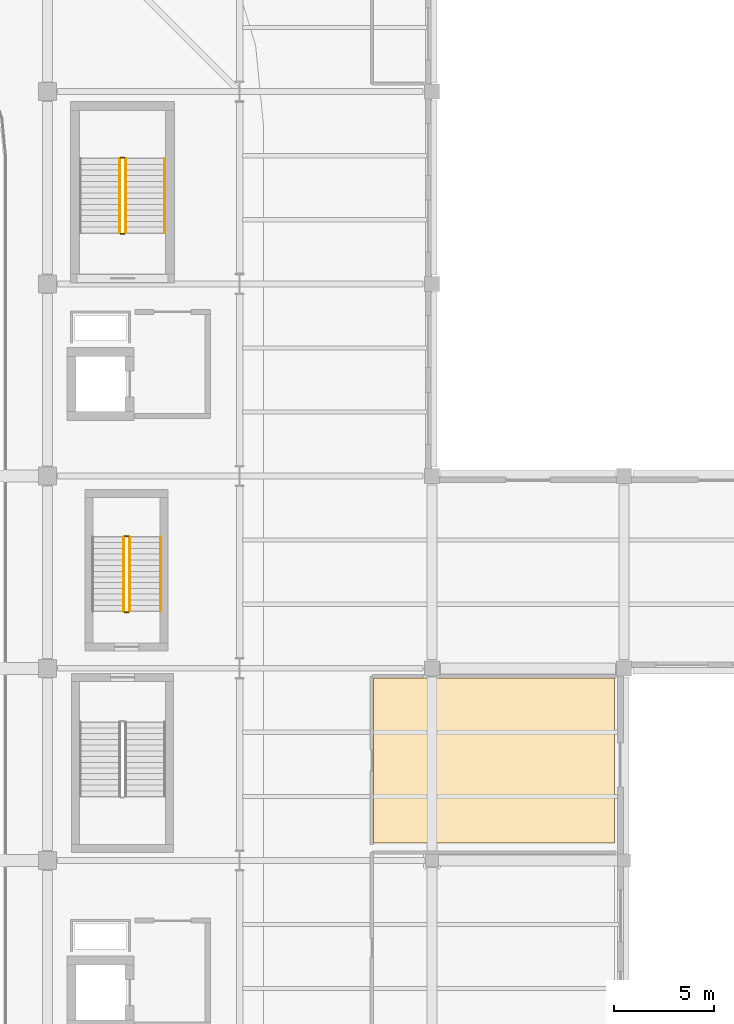
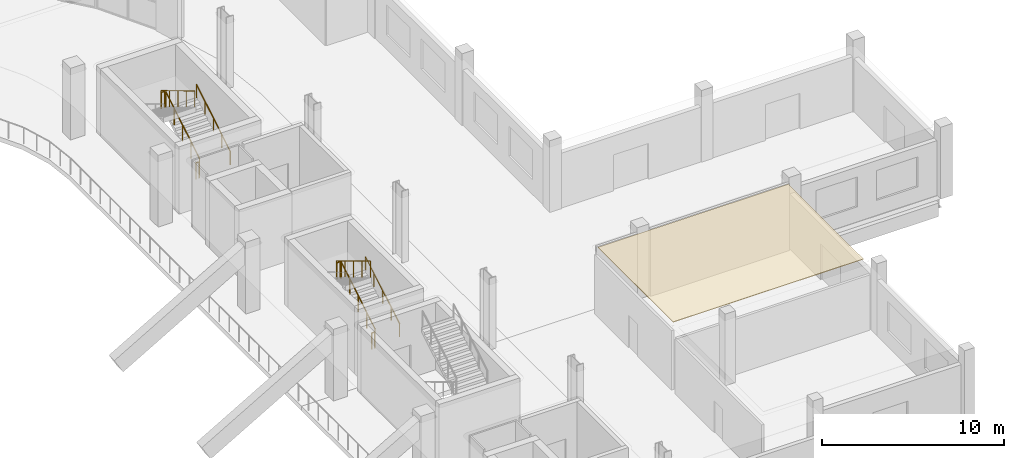
# One storey, part 94 of 100: 10 railings, 1 covering.
"""IFC4 building model written with IfcOpenShell, lengths in metres."""

import ifcopenshell
import ifcopenshell.guid

model = None  # the IFC model being written
_history = None  # IfcOwnerHistory: only IFC2X3 demands one
_inside = {}  # id of a spatial element -> (the spatial element, [elements in it])
_under = {}  # id of a project, library or spatial element -> (it, [spatial elements below it])
_declared = {}  # id of a project -> (the project, [libraries it declares])
_typed = {}  # id of a type object -> (the type object, [elements of that type])
_made_of = {}  # id of a material, layer set ... -> (it, [elements and type objects made of it])


def new_model(schema):
    """Start an empty IFC model of exactly this schema.

    Asked for "IFC4X3", IfcOpenShell would pick the latest addendum, in which some entities
    have other attributes; the version numbers below select the first issue.
    IFC2X3 requires an IfcOwnerHistory on every rooted entity: one is made here for all.
    """
    global model, _history
    if schema == "IFC4X3":
        model = ifcopenshell.file(schema_version=(4, 3, 0, 0))
    else:
        model = ifcopenshell.file(schema=schema)
    _inside.clear()
    _under.clear()
    _declared.clear()
    _typed.clear()
    _made_of.clear()
    _history = None
    if model.schema == "IFC2X3":
        org = make("IfcOrganization", Name="unknown")
        user = make(
            "IfcPersonAndOrganization",
            ThePerson=make("IfcPerson", FamilyName="unknown"),
            TheOrganization=org,
        )
        app = make(
            "IfcApplication",
            ApplicationDeveloper=org,
            Version="unknown",
            ApplicationFullName="unknown",
            ApplicationIdentifier="unknown",
        )
        _history = make(
            "IfcOwnerHistory",
            OwningUser=user,
            OwningApplication=app,
            ChangeAction="ADDED",
            CreationDate=0,
        )
    return model


def make(cls, **values):
    """One entity of the class cls with the attributes given. An attribute that is None is left unset."""
    return model.create_entity(
        cls, **{name: value for name, value in values.items() if value is not None}
    )


def rooted(cls, **values):
    """An entity with a GlobalId (a new one), such as an element, a storey or a relation."""
    return make(cls, GlobalId=ifcopenshell.guid.new(), OwnerHistory=_history, **values)


def si_unit(unit_type, name, prefix=None):
    """IfcSIUnit, for example si_unit("LENGTHUNIT", "METRE", prefix="MILLI")."""
    return make("IfcSIUnit", UnitType=unit_type, Prefix=prefix, Name=name)


def assignment(units):
    """IfcUnitAssignment: the units of a project."""
    return None if units is None else make("IfcUnitAssignment", Units=units)


def point(xyz):
    """IfcCartesianPoint."""
    return None if xyz is None else make("IfcCartesianPoint", Coordinates=xyz)


def direction(xyz):
    """IfcDirection."""
    return None if xyz is None else make("IfcDirection", DirectionRatios=xyz)


def frame(location, z_axis=None, x_axis=None):
    """IfcAxis2Placement3D, a coordinate frame: its origin and axes. An axis left out is left unset."""
    return make(
        "IfcAxis2Placement3D",
        Location=point(location),
        Axis=direction(z_axis),
        RefDirection=direction(x_axis),
    )


def frame_2d(location, x_axis=None):
    """IfcAxis2Placement2D, a coordinate frame in the plane: its origin and x axis."""
    return make(
        "IfcAxis2Placement2D", Location=point(location), RefDirection=direction(x_axis)
    )


def origin():
    """The frame at (0, 0, 0) with its axes left unset."""
    return frame((0.0, 0.0, 0.0))


def origin_2d():
    """The frame at (0, 0) in the plane with its x axis left unset."""
    return frame_2d((0.0, 0.0))


def place(relative_to, where):
    """IfcLocalPlacement: puts the frame where relative to a parent placement (None: the world)."""
    return make(
        "IfcLocalPlacement", PlacementRelTo=relative_to, RelativePlacement=where
    )


def context(
    kind, dimensions, precision=None, world=None, true_north=None, identifier=None
):
    """IfcGeometricRepresentationContext, for example the 3D "Model" context."""
    return make(
        "IfcGeometricRepresentationContext",
        ContextIdentifier=identifier,
        ContextType=kind,
        CoordinateSpaceDimension=dimensions,
        Precision=precision,
        WorldCoordinateSystem=world,
        TrueNorth=true_north,
    )


def subcontext(parent, identifier, kind, view, scale=None):
    """IfcGeometricRepresentationSubContext, for example "Body" below "Model"."""
    return make(
        "IfcGeometricRepresentationSubContext",
        ContextIdentifier=identifier,
        ContextType=kind,
        ParentContext=parent,
        TargetScale=scale,
        TargetView=view,
    )


def project(units=None, contexts=None):
    """IfcProject with its units and contexts."""
    return rooted(
        "IfcProject",
        Name="project",
        RepresentationContexts=contexts,
        UnitsInContext=assignment(units),
    )


def spatial(cls, under=None, at=None, **own):
    """A site, building, storey or space (cls), placed at a placement, below another one or the project."""
    s = rooted(cls, ObjectPlacement=at, **own)
    if under is not None:
        _under.setdefault(under.id(), (under, []))[1].append(s)
    return s


def polyline(points):
    """IfcPolyline through the points."""
    return make("IfcPolyline", Points=[point(p) for p in points])


def profile(cls, at=None, kind="AREA", **sizes):
    """A parametric profile (cls). Its sizes go by their IFC names, for example OverallWidth=200.0."""
    return make(cls, ProfileType=kind, Position=at, **sizes)


def circle(**sizes):
    """IfcCircleProfileDef."""
    return profile("IfcCircleProfileDef", **sizes)


def outline(outer, holes=None, kind="AREA"):
    """IfcArbitraryClosedProfileDef: a profile drawn as a closed curve; with holes, ...WithVoids."""
    if holes is None:
        return make("IfcArbitraryClosedProfileDef", ProfileType=kind, OuterCurve=outer)
    return make(
        "IfcArbitraryProfileDefWithVoids",
        ProfileType=kind,
        OuterCurve=outer,
        InnerCurves=holes,
    )


def extrude(swept, where, along, depth):
    """IfcExtrudedAreaSolid: the profile swept, set in the frame where, extruded along a direction by depth."""
    return make(
        "IfcExtrudedAreaSolid",
        SweptArea=swept,
        Position=where,
        ExtrudedDirection=direction(along),
        Depth=depth,
    )


def shape(context_of_items, identifier, shape_type, items):
    """IfcShapeRepresentation: the items that make up one representation, for example the "Body"."""
    return make(
        "IfcShapeRepresentation",
        ContextOfItems=context_of_items,
        RepresentationIdentifier=identifier,
        RepresentationType=shape_type,
        Items=items,
    )


def material(Name=None, Category=None):
    """IfcMaterial."""
    return make("IfcMaterial", Name=Name, Category=Category)


def layer(
    of_material, thickness, ventilated=None, Name=None, Category=None, Priority=None
):
    """IfcMaterialLayer: one layer of a wall or slab, of a material (None: an air gap)."""
    return make(
        "IfcMaterialLayer",
        Material=of_material,
        LayerThickness=thickness,
        IsVentilated=ventilated,
        Name=Name,
        Category=Category,
        Priority=Priority,
    )


def layer_set(layers, Name=None):
    """IfcMaterialLayerSet."""
    return make("IfcMaterialLayerSet", MaterialLayers=layers, LayerSetName=Name)


def made_of(thing, what):
    """Note that an element or type object is made of a material, layer set ...; save() writes the relation."""
    if what is not None:
        _made_of.setdefault(what.id(), (what, []))[1].append(thing)
    return thing


def type_object(cls, material=None, **own):
    """A type object (cls), such as IfcWallType, which elements share."""
    return made_of(rooted(cls, **own), material)


def element(
    cls,
    number,
    at=None,
    inside=None,
    cuts=None,
    type_object=None,
    material=None,
    context=None,
    identifier="Body",
    shape_type=None,
    held_by="IfcProductDefinitionShape",
    body=None,
    shapes=None,
    **own,
):
    """One element of the class cls, such as IfcWall. Its Tag is "e" and its number.

    at: its placement. inside: the storey or other place that contains it. cuts: it is an
    opening in that element (IfcRelVoidsElement). A single representation is given by context,
    identifier, shape_type and body (its items); several are given by shapes. held_by: the class
    of the entity that holds the representations. save() writes the other relations.
    """
    e = rooted(cls, Tag="e%d" % number, ObjectPlacement=at, **own)
    if body is not None:
        shapes = [shape(context, identifier, shape_type, body)]
    if shapes is not None:
        e.Representation = make(held_by, Representations=shapes)
    if inside is not None:
        _inside.setdefault(inside.id(), (inside, []))[1].append(e)
    if cuts is not None:
        rooted(
            "IfcRelVoidsElement", RelatingBuildingElement=cuts, RelatedOpeningElement=e
        )
    if type_object is not None:
        _typed.setdefault(type_object.id(), (type_object, []))[1].append(e)
    return made_of(e, material)


def aggregate(whole, parts):
    """IfcRelAggregates: a whole, such as a stair, and the parts it consists of."""
    return rooted("IfcRelAggregates", RelatingObject=whole, RelatedObjects=parts)


def save(model, path):
    """Write the relations noted so far, then the file.

    IfcRelAggregates (storeys below a building ...), IfcRelContainedInSpatialStructure (elements
    in a storey), IfcRelDefinesByType, IfcRelAssociatesMaterial and IfcRelDeclares: one each for
    every whole, place, type object, material and project.
    """
    for whole, parts in _under.values():
        aggregate(whole, parts)
    for where, things in _inside.values():
        rooted(
            "IfcRelContainedInSpatialStructure",
            RelatedElements=things,
            RelatingStructure=where,
        )
    for kind, things in _typed.values():
        rooted("IfcRelDefinesByType", RelatedObjects=things, RelatingType=kind)
    for what, things in _made_of.values():
        rooted("IfcRelAssociatesMaterial", RelatedObjects=things, RelatingMaterial=what)
    for by, libraries in _declared.values():
        rooted("IfcRelDeclares", RelatingContext=by, RelatedDefinitions=libraries)
    model.write(path)


model = new_model("IFC4")

# Units and contexts
model_context = context("Model", 3, precision=1e-05, world=origin(), true_north=direction((0.0, 1.0)))
body_context = subcontext(model_context, "Body", "Model", "MODEL_VIEW")
ifc_project = project(units=[si_unit("LENGTHUNIT", "METRE"), si_unit("AREAUNIT", "SQUARE_METRE"), si_unit("VOLUMEUNIT", "CUBIC_METRE"), si_unit("PLANEANGLEUNIT", "RADIAN"), si_unit("MASSUNIT", "GRAM", prefix="KILO")], contexts=[model_context])

# Site, building, storey
site_placement = place(None, origin())
site = spatial("IfcSite", under=ifc_project, at=site_placement, CompositionType="ELEMENT")
building_placement = place(site_placement, origin())
building = spatial("IfcBuilding", under=site, at=building_placement, Name="Caelomonte Colonnade Arena", CompositionType="ELEMENT")
storey_placement = place(building_placement, origin())
storey = spatial("IfcBuildingStorey", under=building, at=storey_placement, Name="L00", CompositionType="ELEMENT", Elevation=0.0)

# Covering
ifc_material_1 = material(Name="Perforated acoustic mineral-fibre ceiling")
ifc_layer = layer(ifc_material_1, 0.0400390625)
ifc_layer_set = layer_set([ifc_layer], Name="Perforated acoustic mineral-fibre ceiling")
covering_type = type_object("IfcCoveringType", Name="INT-CV-CEIL1", PredefinedType="CEILING", material=ifc_layer_set)
covering_placement = place(storey_placement, frame((0.0, 0.0, 4.419921875)))
element("IfcCovering", 1, at=covering_placement, inside=storey, type_object=covering_type, Name="L00 Ground Accessible WC acoustic ceiling", PredefinedType="CEILING", context=body_context, shape_type="SweptSolid", body=[
    extrude(outline(polyline([(181.919921875, 66.719970703125), (169.8798828125, 66.719970703125), (169.8798828125, 58.47998046875), (181.919921875, 58.47998046875), (181.919921875, 66.719970703125)])), origin(), (0.0, 0.0, 1.0), 0.0400390625),
])

# Railings
ifc_material_2 = material(Name="Painted galvanized steel stair guard", Category="steel")
railing_type_1 = type_object("IfcRailingType", Name="INT-RL-GRD", PredefinedType="GUARDRAIL", material=ifc_material_2)
railing_1_placement = place(storey_placement, frame((157.5, 88.949951171875, 0.17138671875)))
element("IfcRailing", 2, at=railing_1_placement, inside=storey, type_object=railing_type_1, Name="L00 ST-03 stair guard 1", PredefinedType="GUARDRAIL", context=body_context, shape_type="SweptSolid", body=[
    extrude(circle(Radius=0.02392578125, at=origin_2d()), frame((0.0, 0.0, 1.076171875), z_axis=(0.0, 0.856934400257, 0.515425487977), x_axis=(-1.0, 0.0, 0.0)), (0.0, 0.0, 1.0), 4.32373046875),
    extrude(circle(Radius=0.02099609375, at=origin_2d()), origin(), (0.0, 0.0, 1.0), 1.048095703125),
    extrude(circle(Radius=0.02099609375, at=origin_2d()), frame((0.0, 0.92626953125, 0.55712890625)), (0.0, 0.0, 1.0), 1.048095703125),
    extrude(circle(Radius=0.02099609375, at=origin_2d()), frame((0.0, 1.8525390625, 1.1142578125)), (0.0, 0.0, 1.0), 1.048095703125),
    extrude(circle(Radius=0.02099609375, at=origin_2d()), frame((0.0, 2.77880859375, 1.67138671875)), (0.0, 0.0, 1.0), 1.048095703125),
    extrude(circle(Radius=0.02099609375, at=origin_2d()), frame((0.0, 3.705078125, 2.228515625)), (0.0, 0.0, 1.0), 1.048095703125),
])
railing_2_placement = place(storey_placement, frame((157.449951171875, 92.705078125, 2.39990234375)))
element("IfcRailing", 3, at=railing_2_placement, inside=storey, type_object=railing_type_1, Name="L00 ST-03 stair guard 2", PredefinedType="GUARDRAIL", context=body_context, shape_type="SweptSolid", body=[
    extrude(circle(Radius=0.02392578125, at=origin_2d()), frame((0.0, 0.0, 1.076171875), z_axis=(-1.0, 0.0, 0.0), x_axis=(0.0, -1.0, 0.0)), (0.0, 0.0, 1.0), 0.199951171875),
    extrude(circle(Radius=0.02099609375, at=origin_2d()), origin(), (0.0, 0.0, 1.0), 1.048095703125),
    extrude(circle(Radius=0.02099609375, at=origin_2d()), frame((-0.199951171875, 0.0, 0.0)), (0.0, 0.0, 1.0), 1.048095703125),
])
railing_3_placement = place(storey_placement, frame((157.199951171875, 92.655029296875, 2.571533203125)))
element("IfcRailing", 4, at=railing_3_placement, inside=storey, type_object=railing_type_1, Name="L00 ST-03 stair guard 3", PredefinedType="GUARDRAIL", context=body_context, shape_type="SweptSolid", body=[
    extrude(circle(Radius=0.02392578125, at=origin_2d()), frame((0.0, 0.0, 1.076171875), z_axis=(0.0, -0.856934400257, 0.515425487977), x_axis=(1.0, 0.0, 0.0)), (0.0, 0.0, 1.0), 4.32373046875),
    extrude(circle(Radius=0.02099609375, at=origin_2d()), origin(), (0.0, 0.0, 1.0), 1.048095703125),
    extrude(circle(Radius=0.02099609375, at=origin_2d()), frame((0.0, -0.92626953125, 0.55712890625)), (0.0, 0.0, 1.0), 1.048095703125),
    extrude(circle(Radius=0.02099609375, at=origin_2d()), frame((0.0, -1.8525390625, 1.1142578125)), (0.0, 0.0, 1.0), 1.048095703125),
    extrude(circle(Radius=0.02099609375, at=origin_2d()), frame((0.0, -2.77880859375, 1.67138671875)), (0.0, 0.0, 1.0), 1.048095703125),
    extrude(circle(Radius=0.02099609375, at=origin_2d()), frame((0.0, -3.705078125, 2.228515625)), (0.0, 0.0, 1.0), 1.048095703125),
])
railing_4_placement = place(storey_placement, frame((157.449951171875, 88.89990234375, 0.0)))
element("IfcRailing", 5, at=railing_4_placement, inside=storey, type_object=railing_type_1, Name="L00 ST-03 stair guard 4", PredefinedType="GUARDRAIL", context=body_context, shape_type="SweptSolid", body=[
    extrude(circle(Radius=0.02392578125, at=origin_2d()), frame((0.0, 0.0, 1.076171875), z_axis=(-1.0, 0.0, 0.0), x_axis=(0.0, -1.0, 0.0)), (0.0, 0.0, 1.0), 0.199951171875),
    extrude(circle(Radius=0.02099609375, at=origin_2d()), origin(), (0.0, 0.0, 1.0), 1.048095703125),
    extrude(circle(Radius=0.02099609375, at=origin_2d()), frame((-0.199951171875, 0.0, 0.0)), (0.0, 0.0, 1.0), 1.048095703125),
])
railing_5_placement = place(storey_placement, frame((157.699951171875, 70.050048828125, 0.17138671875)))
element("IfcRailing", 6, at=railing_5_placement, inside=storey, type_object=railing_type_1, Name="L00 ST-V08 stair guard 1", PredefinedType="GUARDRAIL", context=body_context, shape_type="SweptSolid", body=[
    extrude(circle(Radius=0.02392578125, at=origin_2d()), frame((0.0, 0.0, 1.076171875), z_axis=(0.0, 0.856919398105, 0.515450429384), x_axis=(-1.0, 0.0, 0.0)), (0.0, 0.0, 1.0), 4.323486328125),
    extrude(circle(Radius=0.02099609375, at=origin_2d()), origin(), (0.0, 0.0, 1.0), 1.048095703125),
    extrude(circle(Radius=0.02099609375, at=origin_2d()), frame((0.0, 0.92626953125, 0.55712890625)), (0.0, 0.0, 1.0), 1.048095703125),
    extrude(circle(Radius=0.02099609375, at=origin_2d()), frame((0.0, 1.8525390625, 1.1142578125)), (0.0, 0.0, 1.0), 1.048095703125),
    extrude(circle(Radius=0.02099609375, at=origin_2d()), frame((0.0, 2.778564453125, 1.67138671875)), (0.0, 0.0, 1.0), 1.048095703125),
    extrude(circle(Radius=0.02099609375, at=origin_2d()), frame((0.0, 3.704833984375, 2.228515625)), (0.0, 0.0, 1.0), 1.048095703125),
])
railing_6_placement = place(storey_placement, frame((157.64990234375, 73.804931640625, 2.39990234375)))
element("IfcRailing", 7, at=railing_6_placement, inside=storey, type_object=railing_type_1, Name="L00 ST-V08 stair guard 2", PredefinedType="GUARDRAIL", context=body_context, shape_type="SweptSolid", body=[
    extrude(circle(Radius=0.02392578125, at=origin_2d()), frame((0.0, 0.0, 1.076171875), z_axis=(-1.0, 0.0, 0.0), x_axis=(0.0, -1.0, 0.0)), (0.0, 0.0, 1.0), 0.199951171875),
    extrude(circle(Radius=0.02099609375, at=origin_2d()), origin(), (0.0, 0.0, 1.0), 1.048095703125),
    extrude(circle(Radius=0.02099609375, at=origin_2d()), frame((-0.199951171875, 0.0, 0.0)), (0.0, 0.0, 1.0), 1.048095703125),
])
railing_7_placement = place(storey_placement, frame((157.39990234375, 73.7548828125, 2.571533203125)))
element("IfcRailing", 8, at=railing_7_placement, inside=storey, type_object=railing_type_1, Name="L00 ST-V08 stair guard 3", PredefinedType="GUARDRAIL", context=body_context, shape_type="SweptSolid", body=[
    extrude(circle(Radius=0.02392578125, at=origin_2d()), frame((0.0, 0.0, 1.076171875), z_axis=(0.0, -0.856919398105, 0.515450429384), x_axis=(1.0, 0.0, 0.0)), (0.0, 0.0, 1.0), 4.323486328125),
    extrude(circle(Radius=0.02099609375, at=origin_2d()), origin(), (0.0, 0.0, 1.0), 1.048095703125),
    extrude(circle(Radius=0.02099609375, at=origin_2d()), frame((0.0, -0.92626953125, 0.55712890625)), (0.0, 0.0, 1.0), 1.048095703125),
    extrude(circle(Radius=0.02099609375, at=origin_2d()), frame((0.0, -1.8525390625, 1.1142578125)), (0.0, 0.0, 1.0), 1.048095703125),
    extrude(circle(Radius=0.02099609375, at=origin_2d()), frame((0.0, -2.778564453125, 1.67138671875)), (0.0, 0.0, 1.0), 1.048095703125),
    extrude(circle(Radius=0.02099609375, at=origin_2d()), frame((0.0, -3.704833984375, 2.228515625)), (0.0, 0.0, 1.0), 1.048095703125),
])
railing_8_placement = place(storey_placement, frame((157.64990234375, 70.0, 0.0)))
element("IfcRailing", 9, at=railing_8_placement, inside=storey, type_object=railing_type_1, Name="L00 ST-V08 stair guard 4", PredefinedType="GUARDRAIL", context=body_context, shape_type="SweptSolid", body=[
    extrude(circle(Radius=0.02392578125, at=origin_2d()), frame((0.0, 0.0, 1.076171875), z_axis=(-1.0, 0.0, 0.0), x_axis=(0.0, -1.0, 0.0)), (0.0, 0.0, 1.0), 0.199951171875),
    extrude(circle(Radius=0.02099609375, at=origin_2d()), origin(), (0.0, 0.0, 1.0), 1.048095703125),
    extrude(circle(Radius=0.02099609375, at=origin_2d()), frame((-0.199951171875, 0.0, 0.0)), (0.0, 0.0, 1.0), 1.048095703125),
])
ifc_material_3 = material(Name="Brushed stainless steel stair handrail", Category="steel")
railing_type_2 = type_object("IfcRailingType", Name="INT-RL-HR", PredefinedType="HANDRAIL", material=ifc_material_3)
railing_9_placement = place(storey_placement, frame((159.449951171875, 88.949951171875, 0.17138671875)))
element("IfcRailing", 10, at=railing_9_placement, inside=storey, type_object=railing_type_2, Name="L00 ST-03 stair handrail 1", PredefinedType="HANDRAIL", context=body_context, shape_type="SweptSolid", body=[
    extrude(circle(Radius=0.02392578125, at=origin_2d()), frame((0.0, 0.0, 0.8759765625), z_axis=(0.0, 0.856934400257, 0.515425487977), x_axis=(-1.0, 0.0, 0.0)), (0.0, 0.0, 1.0), 4.32373046875),
    extrude(circle(Radius=0.02099609375, at=origin_2d()), origin(), (0.0, 0.0, 1.0), 0.847900390625),
    extrude(circle(Radius=0.02099609375, at=origin_2d()), frame((0.0, 0.92626953125, 0.55712890625)), (0.0, 0.0, 1.0), 0.847900390625),
    extrude(circle(Radius=0.02099609375, at=origin_2d()), frame((0.0, 1.8525390625, 1.1142578125)), (0.0, 0.0, 1.0), 0.847900390625),
    extrude(circle(Radius=0.02099609375, at=origin_2d()), frame((0.0, 2.77880859375, 1.67138671875)), (0.0, 0.0, 1.0), 0.847900390625),
    extrude(circle(Radius=0.02099609375, at=origin_2d()), frame((0.0, 3.705078125, 2.228515625)), (0.0, 0.0, 1.0), 0.847900390625),
])
railing_10_placement = place(storey_placement, frame((159.25, 70.050048828125, 0.17138671875)))
element("IfcRailing", 11, at=railing_10_placement, inside=storey, type_object=railing_type_2, Name="L00 ST-V08 stair handrail 1", PredefinedType="HANDRAIL", context=body_context, shape_type="SweptSolid", body=[
    extrude(circle(Radius=0.02392578125, at=origin_2d()), frame((0.0, 0.0, 0.8759765625), z_axis=(0.0, 0.856919398105, 0.515450429384), x_axis=(-1.0, 0.0, 0.0)), (0.0, 0.0, 1.0), 4.323486328125),
    extrude(circle(Radius=0.02099609375, at=origin_2d()), origin(), (0.0, 0.0, 1.0), 0.847900390625),
    extrude(circle(Radius=0.02099609375, at=origin_2d()), frame((0.0, 0.92626953125, 0.55712890625)), (0.0, 0.0, 1.0), 0.847900390625),
    extrude(circle(Radius=0.02099609375, at=origin_2d()), frame((0.0, 1.8525390625, 1.1142578125)), (0.0, 0.0, 1.0), 0.847900390625),
    extrude(circle(Radius=0.02099609375, at=origin_2d()), frame((0.0, 2.778564453125, 1.67138671875)), (0.0, 0.0, 1.0), 0.847900390625),
    extrude(circle(Radius=0.02099609375, at=origin_2d()), frame((0.0, 3.704833984375, 2.228515625)), (0.0, 0.0, 1.0), 0.847900390625),
])

save(model, "model.ifc")
